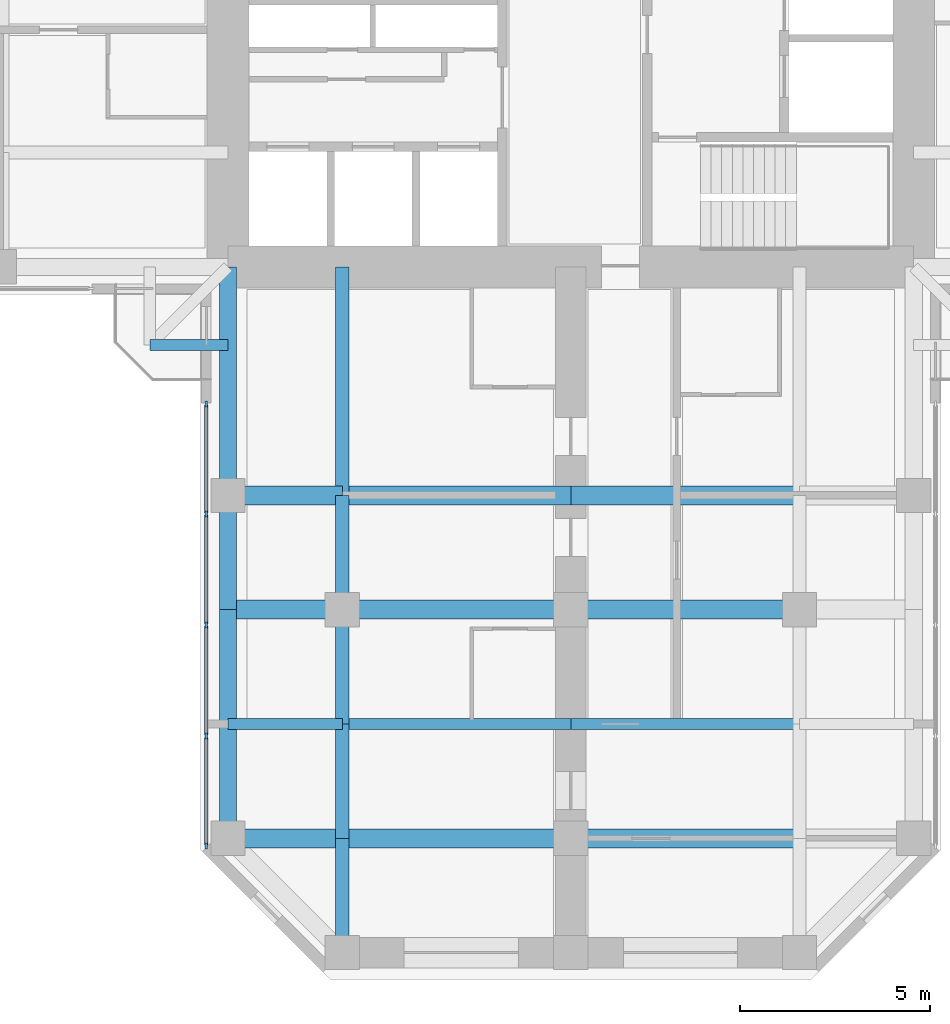
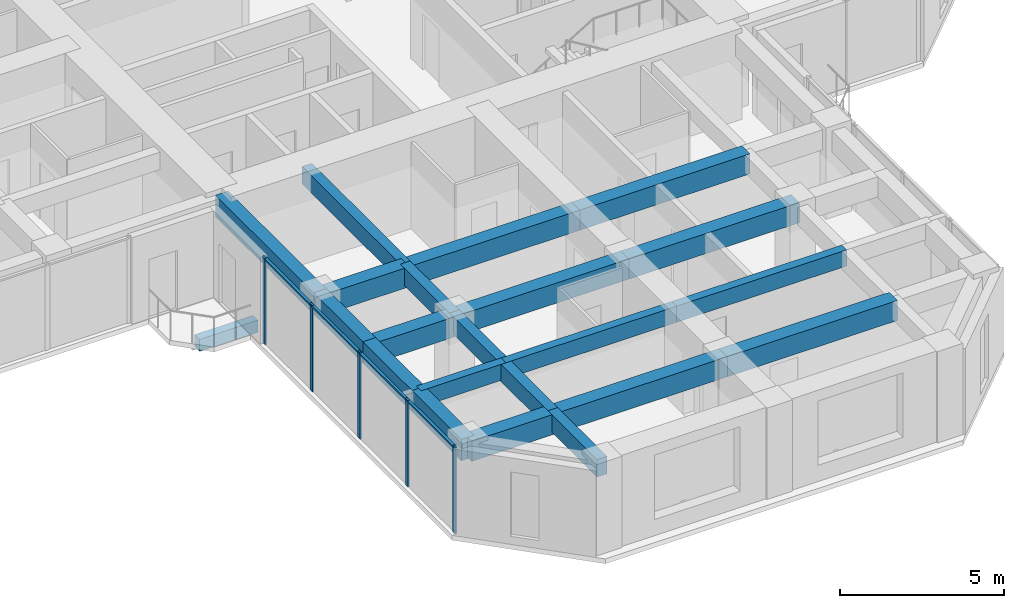
# One storey, part 2 of 13: 22 beams, 9 members, 1 element without a shape of its own.
"""IFC4 building model written with IfcOpenShell, lengths in metres."""

import ifcopenshell
import ifcopenshell.guid

model = None  # the IFC model being written
_history = None  # IfcOwnerHistory: only IFC2X3 demands one
_inside = {}  # id of a spatial element -> (the spatial element, [elements in it])
_under = {}  # id of a project, library or spatial element -> (it, [spatial elements below it])
_declared = {}  # id of a project -> (the project, [libraries it declares])
_typed = {}  # id of a type object -> (the type object, [elements of that type])
_made_of = {}  # id of a material, layer set ... -> (it, [elements and type objects made of it])


def new_model(schema):
    """Start an empty IFC model of exactly this schema.

    Asked for "IFC4X3", IfcOpenShell would pick the latest addendum, in which some entities
    have other attributes; the version numbers below select the first issue.
    IFC2X3 requires an IfcOwnerHistory on every rooted entity: one is made here for all.
    """
    global model, _history
    if schema == "IFC4X3":
        model = ifcopenshell.file(schema_version=(4, 3, 0, 0))
    else:
        model = ifcopenshell.file(schema=schema)
    _inside.clear()
    _under.clear()
    _declared.clear()
    _typed.clear()
    _made_of.clear()
    _history = None
    if model.schema == "IFC2X3":
        org = make("IfcOrganization", Name="unknown")
        user = make(
            "IfcPersonAndOrganization",
            ThePerson=make("IfcPerson", FamilyName="unknown"),
            TheOrganization=org,
        )
        app = make(
            "IfcApplication",
            ApplicationDeveloper=org,
            Version="unknown",
            ApplicationFullName="unknown",
            ApplicationIdentifier="unknown",
        )
        _history = make(
            "IfcOwnerHistory",
            OwningUser=user,
            OwningApplication=app,
            ChangeAction="ADDED",
            CreationDate=0,
        )
    return model


def make(cls, **values):
    """One entity of the class cls with the attributes given. An attribute that is None is left unset."""
    return model.create_entity(
        cls, **{name: value for name, value in values.items() if value is not None}
    )


def rooted(cls, **values):
    """An entity with a GlobalId (a new one), such as an element, a storey or a relation."""
    return make(cls, GlobalId=ifcopenshell.guid.new(), OwnerHistory=_history, **values)


def si_unit(unit_type, name, prefix=None):
    """IfcSIUnit, for example si_unit("LENGTHUNIT", "METRE", prefix="MILLI")."""
    return make("IfcSIUnit", UnitType=unit_type, Prefix=prefix, Name=name)


def assignment(units):
    """IfcUnitAssignment: the units of a project."""
    return None if units is None else make("IfcUnitAssignment", Units=units)


def point(xyz):
    """IfcCartesianPoint."""
    return None if xyz is None else make("IfcCartesianPoint", Coordinates=xyz)


def direction(xyz):
    """IfcDirection."""
    return None if xyz is None else make("IfcDirection", DirectionRatios=xyz)


def frame(location, z_axis=None, x_axis=None):
    """IfcAxis2Placement3D, a coordinate frame: its origin and axes. An axis left out is left unset."""
    return make(
        "IfcAxis2Placement3D",
        Location=point(location),
        Axis=direction(z_axis),
        RefDirection=direction(x_axis),
    )


def frame_2d(location, x_axis=None):
    """IfcAxis2Placement2D, a coordinate frame in the plane: its origin and x axis."""
    return make(
        "IfcAxis2Placement2D", Location=point(location), RefDirection=direction(x_axis)
    )


def origin():
    """The frame at (0, 0, 0) with its axes left unset."""
    return frame((0.0, 0.0, 0.0))


def origin_2d():
    """The frame at (0, 0) in the plane with its x axis left unset."""
    return frame_2d((0.0, 0.0))


def place(relative_to, where):
    """IfcLocalPlacement: puts the frame where relative to a parent placement (None: the world)."""
    return make(
        "IfcLocalPlacement", PlacementRelTo=relative_to, RelativePlacement=where
    )


def context(
    kind, dimensions, precision=None, world=None, true_north=None, identifier=None
):
    """IfcGeometricRepresentationContext, for example the 3D "Model" context."""
    return make(
        "IfcGeometricRepresentationContext",
        ContextIdentifier=identifier,
        ContextType=kind,
        CoordinateSpaceDimension=dimensions,
        Precision=precision,
        WorldCoordinateSystem=world,
        TrueNorth=true_north,
    )


def subcontext(parent, identifier, kind, view, scale=None):
    """IfcGeometricRepresentationSubContext, for example "Body" below "Model"."""
    return make(
        "IfcGeometricRepresentationSubContext",
        ContextIdentifier=identifier,
        ContextType=kind,
        ParentContext=parent,
        TargetScale=scale,
        TargetView=view,
    )


def project(units=None, contexts=None):
    """IfcProject with its units and contexts."""
    return rooted(
        "IfcProject",
        Name="project",
        RepresentationContexts=contexts,
        UnitsInContext=assignment(units),
    )


def spatial(cls, under=None, at=None, **own):
    """A site, building, storey or space (cls), placed at a placement, below another one or the project."""
    s = rooted(cls, ObjectPlacement=at, **own)
    if under is not None:
        _under.setdefault(under.id(), (under, []))[1].append(s)
    return s


def profile(cls, at=None, kind="AREA", **sizes):
    """A parametric profile (cls). Its sizes go by their IFC names, for example OverallWidth=200.0."""
    return make(cls, ProfileType=kind, Position=at, **sizes)


def rectangle(**sizes):
    """IfcRectangleProfileDef."""
    return profile("IfcRectangleProfileDef", **sizes)


def extrude(swept, where, along, depth):
    """IfcExtrudedAreaSolid: the profile swept, set in the frame where, extruded along a direction by depth."""
    return make(
        "IfcExtrudedAreaSolid",
        SweptArea=swept,
        Position=where,
        ExtrudedDirection=direction(along),
        Depth=depth,
    )


def shape(context_of_items, identifier, shape_type, items):
    """IfcShapeRepresentation: the items that make up one representation, for example the "Body"."""
    return make(
        "IfcShapeRepresentation",
        ContextOfItems=context_of_items,
        RepresentationIdentifier=identifier,
        RepresentationType=shape_type,
        Items=items,
    )


def material(Name=None, Category=None):
    """IfcMaterial."""
    return make("IfcMaterial", Name=Name, Category=Category)


def material_profile(
    of_material, cross_section, Name=None, Category=None, Priority=None
):
    """IfcMaterialProfile: a cross section and its material."""
    return make(
        "IfcMaterialProfile",
        Name=Name,
        Material=of_material,
        Profile=cross_section,
        Priority=Priority,
        Category=Category,
    )


def profile_set(profiles, Name=None, composite=None):
    """IfcMaterialProfileSet."""
    return make(
        "IfcMaterialProfileSet",
        Name=Name,
        MaterialProfiles=profiles,
        CompositeProfile=composite,
    )


def made_of(thing, what):
    """Note that an element or type object is made of a material, layer set ...; save() writes the relation."""
    if what is not None:
        _made_of.setdefault(what.id(), (what, []))[1].append(thing)
    return thing


def type_object(cls, material=None, **own):
    """A type object (cls), such as IfcWallType, which elements share."""
    return made_of(rooted(cls, **own), material)


def element(
    cls,
    number,
    at=None,
    inside=None,
    cuts=None,
    type_object=None,
    material=None,
    context=None,
    identifier="Body",
    shape_type=None,
    held_by="IfcProductDefinitionShape",
    body=None,
    shapes=None,
    **own,
):
    """One element of the class cls, such as IfcWall. Its Tag is "e" and its number.

    at: its placement. inside: the storey or other place that contains it. cuts: it is an
    opening in that element (IfcRelVoidsElement). A single representation is given by context,
    identifier, shape_type and body (its items); several are given by shapes. held_by: the class
    of the entity that holds the representations. save() writes the other relations.
    """
    e = rooted(cls, Tag="e%d" % number, ObjectPlacement=at, **own)
    if body is not None:
        shapes = [shape(context, identifier, shape_type, body)]
    if shapes is not None:
        e.Representation = make(held_by, Representations=shapes)
    if inside is not None:
        _inside.setdefault(inside.id(), (inside, []))[1].append(e)
    if cuts is not None:
        rooted(
            "IfcRelVoidsElement", RelatingBuildingElement=cuts, RelatedOpeningElement=e
        )
    if type_object is not None:
        _typed.setdefault(type_object.id(), (type_object, []))[1].append(e)
    return made_of(e, material)


def aggregate(whole, parts):
    """IfcRelAggregates: a whole, such as a stair, and the parts it consists of."""
    return rooted("IfcRelAggregates", RelatingObject=whole, RelatedObjects=parts)


def save(model, path):
    """Write the relations noted so far, then the file.

    IfcRelAggregates (storeys below a building ...), IfcRelContainedInSpatialStructure (elements
    in a storey), IfcRelDefinesByType, IfcRelAssociatesMaterial and IfcRelDeclares: one each for
    every whole, place, type object, material and project.
    """
    for whole, parts in _under.values():
        aggregate(whole, parts)
    for where, things in _inside.values():
        rooted(
            "IfcRelContainedInSpatialStructure",
            RelatedElements=things,
            RelatingStructure=where,
        )
    for kind, things in _typed.values():
        rooted("IfcRelDefinesByType", RelatedObjects=things, RelatingType=kind)
    for what, things in _made_of.values():
        rooted("IfcRelAssociatesMaterial", RelatedObjects=things, RelatingMaterial=what)
    for by, libraries in _declared.values():
        rooted("IfcRelDeclares", RelatingContext=by, RelatedDefinitions=libraries)
    model.write(path)


model = new_model("IFC4")

# Units and contexts
model_context = context("Model", 3, precision=1e-05, world=origin(), true_north=direction((0.0, 1.0)))
body_context = subcontext(model_context, "Body", "Model", "MODEL_VIEW")
ifc_project = project(units=[si_unit("LENGTHUNIT", "METRE"), si_unit("AREAUNIT", "SQUARE_METRE"), si_unit("VOLUMEUNIT", "CUBIC_METRE"), si_unit("PLANEANGLEUNIT", "RADIAN"), si_unit("MASSUNIT", "GRAM", prefix="KILO")], contexts=[model_context])

# Site, building, storey
site_placement = place(None, origin())
site = spatial("IfcSite", under=ifc_project, at=site_placement, CompositionType="ELEMENT")
building_placement = place(site_placement, origin())
building = spatial("IfcBuilding", under=site, at=building_placement, Name="Torre Cruceta", CompositionType="ELEMENT")
storey_placement = place(building_placement, frame((0.0, 0.0, 196.699951171875)))
storey = spatial("IfcBuildingStorey", under=building, at=storey_placement, Name="L49", CompositionType="ELEMENT", Elevation=196.699951171875)

# Beams
ifc_material_1 = material(Name="Concrete G60 (fck 60 MPa)", Category="concrete")
ifc_material_profile_1 = material_profile(ifc_material_1, rectangle(XDim=0.300048828125, YDim=0.449951171875, at=origin_2d()), Name="RC 300X450")
ifc_profile_set_1 = profile_set([ifc_material_profile_1], Name="Concrete G60 (fck 60 MPa)")
beam_type_1 = type_object("IfcBeamType", Name="BALCONY CANTILEVER BEAM RC 300X450", PredefinedType="BEAM", material=ifc_profile_set_1)
beam_1_placement = place(storey_placement, frame((-9.0, -11.050537109375, -0.405029296875), z_axis=(-1.0, 0.0, 0.0), x_axis=(0.0, -1.0, 0.0)))
element("IfcBeam", 1, at=beam_1_placement, inside=storey, type_object=beam_type_1, Name="BB1 balcony edge beam L49 W-Y", PredefinedType="BEAM", context=body_context, shape_type="SweptSolid", body=[
    extrude(rectangle(XDim=0.300048828125, YDim=0.449951171875, at=origin_2d()), origin(), (0.0, 0.0, 1.0), 2.050537109375),
])
ifc_material_2 = material(Name="Concrete G60 (fck 60 MPa)", Category="concrete")
ifc_material_profile_2 = material_profile(ifc_material_2, rectangle(XDim=0.35009765625, YDim=0.64990234375, at=origin_2d()), Name="RC 350X650")
ifc_profile_set_2 = profile_set([ifc_material_profile_2], Name="Concrete G60 (fck 60 MPa)")
beam_type_2 = type_object("IfcBeamType", Name="COLUMN LINE BEAM RC 350X650", PredefinedType="BEAM", material=ifc_profile_set_2)
beam_2_placement = place(storey_placement, frame((-6.0, -9.0, 2.89501953125), z_axis=(0.0, -1.0, 0.0), x_axis=(1.0, 0.0, 0.0)))
element("IfcBeam", 2, at=beam_2_placement, inside=storey, type_object=beam_type_2, Name="LB7 L49 S col- 1", PredefinedType="BEAM", context=body_context, shape_type="SweptSolid", body=[
    extrude(rectangle(XDim=0.35009765625, YDim=0.64990234375, at=origin_2d()), origin(), (0.0, 0.0, 1.0), 6.0),
])
for number, where, z_axis, x_axis, name in (
    (3, (-6.0, -15.0, 2.89501953125), (0.0, -1.0, 0.0), (1.0, 0.0, 0.0), "LB7 L49 S col- 2"),
    (4, (-6.0, -18.0, 2.89501953125), (0.0, -1.0, 0.0), (1.0, 0.0, 0.0), "LB7 L49 S col- 3"),
    (5, (-6.0, -21.0, 2.89501953125), (0.0, -1.0, 0.0), (1.0, 0.0, 0.0), "LB7 L49 S col- 4"),
    (6, (-6.0, -24.0, 2.89501953125), (0.0, -1.0, 0.0), (1.0, 0.0, 0.0), "LB7 L49 S col- 5"),
):
    element("IfcBeam", number, at=place(storey_placement, frame(where, z_axis=z_axis, x_axis=x_axis)), inside=storey, type_object=beam_type_2, Name=name, PredefinedType="BEAM", context=body_context, shape_type="SweptSolid", body=[
        extrude(rectangle(XDim=0.35009765625, YDim=0.64990234375, at=origin_2d()), origin(), (0.0, 0.0, 1.0), 3.0),
    ])
ifc_material_3 = material(Name="Concrete G60 (fck 60 MPa)", Category="concrete")
ifc_material_profile_3 = material_profile(ifc_material_3, rectangle(XDim=0.5, YDim=0.75, at=origin_2d()), Name="RC 500X750")
ifc_profile_set_3 = profile_set([ifc_material_profile_3], Name="Concrete G60 (fck 60 MPa)")
beam_type_3 = type_object("IfcBeamType", Name="CROSS BEAM RC 500X750", PredefinedType="BEAM", material=ifc_profile_set_3)
beam_3_placement = place(storey_placement, frame((-9.0, -15.0, 2.844970703125), z_axis=(1.0, 0.0, 0.0), x_axis=(0.0, 1.0, 0.0)))
element("IfcBeam", 7, at=beam_3_placement, inside=storey, type_object=beam_type_3, Name="GB6 L49 S cross15 1", PredefinedType="BEAM", context=body_context, shape_type="SweptSolid", body=[
    extrude(rectangle(XDim=0.5, YDim=0.75, at=origin_2d()), origin(), (0.0, 0.0, 1.0), 3.0),
])
for number, where, z_axis, x_axis, name in (
    (8, (-6.0, -15.0, 2.844970703125), (1.0, 0.0, 0.0), (0.0, 1.0, 0.0), "GB6 L49 S cross15 2"),
    (9, (0.0, -15.0, 2.844970703125), (1.0, 0.0, 0.0), (0.0, 1.0, 0.0), "GB6 L49 S cross15 3"),
):
    element("IfcBeam", number, at=place(storey_placement, frame(where, z_axis=z_axis, x_axis=x_axis)), inside=storey, type_object=beam_type_3, Name=name, PredefinedType="BEAM", context=body_context, shape_type="SweptSolid", body=[
        extrude(rectangle(XDim=0.5, YDim=0.75, at=origin_2d()), origin(), (0.0, 0.0, 1.0), 6.0),
    ])
beam_4_placement = place(storey_placement, frame((-9.0, -18.0, 2.844970703125), z_axis=(1.0, 0.0, 0.0), x_axis=(0.0, 1.0, 0.0)))
element("IfcBeam", 10, at=beam_4_placement, inside=storey, type_object=beam_type_3, Name="GB6 L49 S cross18 1", PredefinedType="BEAM", context=body_context, shape_type="SweptSolid", body=[
    extrude(rectangle(XDim=0.5, YDim=0.75, at=origin_2d()), origin(), (0.0, 0.0, 1.0), 3.0),
])
for number, where, z_axis, x_axis, name in (
    (11, (-6.0, -18.0, 2.844970703125), (1.0, 0.0, 0.0), (0.0, 1.0, 0.0), "GB6 L49 S cross18 2"),
    (12, (0.0, -18.0, 2.844970703125), (1.0, 0.0, 0.0), (0.0, 1.0, 0.0), "GB6 L49 S cross18 3"),
):
    element("IfcBeam", number, at=place(storey_placement, frame(where, z_axis=z_axis, x_axis=x_axis)), inside=storey, type_object=beam_type_3, Name=name, PredefinedType="BEAM", context=body_context, shape_type="SweptSolid", body=[
        extrude(rectangle(XDim=0.5, YDim=0.75, at=origin_2d()), origin(), (0.0, 0.0, 1.0), 6.0),
    ])
beam_5_placement = place(storey_placement, frame((-9.0, -24.0, 2.844970703125), z_axis=(1.0, 0.0, 0.0), x_axis=(0.0, 1.0, 0.0)))
element("IfcBeam", 13, at=beam_5_placement, inside=storey, type_object=beam_type_3, Name="GB6 L49 S cross24 1", PredefinedType="BEAM", context=body_context, shape_type="SweptSolid", body=[
    extrude(rectangle(XDim=0.5, YDim=0.75, at=origin_2d()), origin(), (0.0, 0.0, 1.0), 3.0),
])
for number, where, z_axis, x_axis, name in (
    (14, (-6.0, -24.0, 2.844970703125), (1.0, 0.0, 0.0), (0.0, 1.0, 0.0), "GB6 L49 S cross24 2"),
    (15, (0.0, -24.0, 2.844970703125), (1.0, 0.0, 0.0), (0.0, 1.0, 0.0), "GB6 L49 S cross24 3"),
):
    element("IfcBeam", number, at=place(storey_placement, frame(where, z_axis=z_axis, x_axis=x_axis)), inside=storey, type_object=beam_type_3, Name=name, PredefinedType="BEAM", context=body_context, shape_type="SweptSolid", body=[
        extrude(rectangle(XDim=0.5, YDim=0.75, at=origin_2d()), origin(), (0.0, 0.0, 1.0), 6.0),
    ])

# Curtain wall, members
ifc_material_4 = material(Name="Aluminium unitised curtain wall", Category="aluminium")
curtain_wall_type = type_object("IfcCurtainWallType", Name="CURTAIN WALL CW-C CO-LIVING", PredefinedType="USERDEFINED", material=ifc_material_4)
curtain_wall_placement = place(storey_placement, origin())
curtain_wall = element("IfcCurtainWall", 16, at=curtain_wall_placement, inside=storey, type_object=curtain_wall_type, Name="CW-C L49 S side 15", ObjectType="UNITISED", PredefinedType="USERDEFINED")
ifc_material_5 = material(Name="Aluminium mullion", Category="aluminium")
ifc_material_profile_4 = material_profile(ifc_material_5, rectangle(XDim=0.06005859375, YDim=0.159912109375, at=origin_2d()), Name="AL 60X160")
ifc_profile_set_4 = profile_set([ifc_material_profile_4], Name="Aluminium mullion")
member_type_1 = type_object("IfcMemberType", Name="CW-C MULLION 60X160", PredefinedType="MULLION", material=ifc_profile_set_4)
member_1_placement = place(storey_placement, frame((-9.570068359375, -12.60009765625, 0.0), z_axis=(0.0, 0.0, 1.0), x_axis=(1.0, 0.0, 0.0)))
member_1 = element("IfcMember", 17, at=member_1_placement, type_object=member_type_1, Name="CW-C mullion 1", PredefinedType="MULLION", context=body_context, shape_type="SweptSolid", body=[
    extrude(rectangle(XDim=0.06005859375, YDim=0.159912109375, at=origin_2d()), origin(), (0.0, 0.0, 1.0), 3.219970703125),
])
member_2_placement = place(storey_placement, frame((-9.570068359375, -15.486572265625, 0.0), z_axis=(0.0, 0.0, 1.0), x_axis=(1.0, 0.0, 0.0)))
member_2 = element("IfcMember", 18, at=member_2_placement, type_object=member_type_1, Name="CW-C mullion 2", PredefinedType="MULLION", context=body_context, shape_type="SweptSolid", body=[
    extrude(rectangle(XDim=0.06005859375, YDim=0.159912109375, at=origin_2d()), origin(), (0.0, 0.0, 1.0), 3.219970703125),
])
member_3_placement = place(storey_placement, frame((-9.570068359375, -18.403076171875, 0.0), z_axis=(0.0, 0.0, 1.0), x_axis=(1.0, 0.0, 0.0)))
member_3 = element("IfcMember", 19, at=member_3_placement, type_object=member_type_1, Name="CW-C mullion 3", PredefinedType="MULLION", context=body_context, shape_type="SweptSolid", body=[
    extrude(rectangle(XDim=0.06005859375, YDim=0.159912109375, at=origin_2d()), origin(), (0.0, 0.0, 1.0), 3.219970703125),
])
member_4_placement = place(storey_placement, frame((-9.570068359375, -21.319580078125, 0.0), z_axis=(0.0, 0.0, 1.0), x_axis=(1.0, 0.0, 0.0)))
member_4 = element("IfcMember", 20, at=member_4_placement, type_object=member_type_1, Name="CW-C mullion 4", PredefinedType="MULLION", context=body_context, shape_type="SweptSolid", body=[
    extrude(rectangle(XDim=0.06005859375, YDim=0.159912109375, at=origin_2d()), origin(), (0.0, 0.0, 1.0), 3.219970703125),
])
member_5_placement = place(storey_placement, frame((-9.570068359375, -24.2060546875, 0.0), z_axis=(0.0, 0.0, 1.0), x_axis=(1.0, 0.0, 0.0)))
member_5 = element("IfcMember", 21, at=member_5_placement, type_object=member_type_1, Name="CW-C mullion 5", PredefinedType="MULLION", context=body_context, shape_type="SweptSolid", body=[
    extrude(rectangle(XDim=0.06005859375, YDim=0.159912109375, at=origin_2d()), origin(), (0.0, 0.0, 1.0), 3.219970703125),
])
ifc_material_6 = material(Name="Aluminium transom", Category="aluminium")
ifc_material_profile_5 = material_profile(ifc_material_6, rectangle(XDim=0.10009765625, YDim=0.06005859375, at=origin_2d()), Name="AL 100X60")
ifc_profile_set_5 = profile_set([ifc_material_profile_5], Name="Aluminium transom")
member_type_2 = type_object("IfcMemberType", Name="CW-C TRANSOM 60X100", PredefinedType="USERDEFINED", material=ifc_profile_set_5)
member_6_placement = place(storey_placement, frame((-9.570068359375, -12.6298828125, 3.18994140625), z_axis=(0.0, -1.0, 0.0), x_axis=(1.0, 0.0, 0.0)))
member_6 = element("IfcMember", 22, at=member_6_placement, type_object=member_type_2, Name="CW-C transom 1", ObjectType="TRANSOM", PredefinedType="USERDEFINED", context=body_context, shape_type="SweptSolid", body=[
    extrude(rectangle(XDim=0.10009765625, YDim=0.06005859375, at=origin_2d()), origin(), (0.0, 0.0, 1.0), 2.82666015625),
])
member_7_placement = place(storey_placement, frame((-9.570068359375, -15.5166015625, 3.18994140625), z_axis=(0.0, -1.0, 0.0), x_axis=(1.0, 0.0, 0.0)))
member_7 = element("IfcMember", 23, at=member_7_placement, type_object=member_type_2, Name="CW-C transom 2", ObjectType="TRANSOM", PredefinedType="USERDEFINED", context=body_context, shape_type="SweptSolid", body=[
    extrude(rectangle(XDim=0.10009765625, YDim=0.06005859375, at=origin_2d()), origin(), (0.0, 0.0, 1.0), 2.8564453125),
])
member_8_placement = place(storey_placement, frame((-9.570068359375, -18.43310546875, 3.18994140625), z_axis=(0.0, -1.0, 0.0), x_axis=(1.0, 0.0, 0.0)))
member_8 = element("IfcMember", 24, at=member_8_placement, type_object=member_type_2, Name="CW-C transom 3", ObjectType="TRANSOM", PredefinedType="USERDEFINED", context=body_context, shape_type="SweptSolid", body=[
    extrude(rectangle(XDim=0.10009765625, YDim=0.06005859375, at=origin_2d()), origin(), (0.0, 0.0, 1.0), 2.8564453125),
])
member_9_placement = place(storey_placement, frame((-9.570068359375, -21.349609375, 3.18994140625), z_axis=(0.0, -1.0, 0.0), x_axis=(1.0, 0.0, 0.0)))
member_9 = element("IfcMember", 25, at=member_9_placement, type_object=member_type_2, Name="CW-C transom 4", ObjectType="TRANSOM", PredefinedType="USERDEFINED", context=body_context, shape_type="SweptSolid", body=[
    extrude(rectangle(XDim=0.10009765625, YDim=0.06005859375, at=origin_2d()), origin(), (0.0, 0.0, 1.0), 2.826416015625),
])
aggregate(curtain_wall, [member_1, member_2, member_3, member_4, member_5, member_6, member_7, member_8, member_9])

# Beams
ifc_material_7 = material(Name="Concrete G60 (fck 60 MPa)", Category="concrete")
ifc_material_profile_6 = material_profile(ifc_material_7, rectangle(XDim=0.300048828125, YDim=0.60009765625, at=origin_2d()), Name="RC 300X600")
ifc_profile_set_6 = profile_set([ifc_material_profile_6], Name="Concrete G60 (fck 60 MPa)")
beam_type_4 = type_object("IfcBeamType", Name="SECONDARY BEAM RC 300X600", PredefinedType="JOIST", material=ifc_profile_set_6)
beam_6_placement = place(storey_placement, frame((-9.0, -21.0, 2.920166015625), z_axis=(1.0, 0.0, 0.0), x_axis=(0.0, 1.0, 0.0)))
element("IfcBeam", 26, at=beam_6_placement, inside=storey, type_object=beam_type_4, Name="JB6 L49 S sec21 1", PredefinedType="JOIST", context=body_context, shape_type="SweptSolid", body=[
    extrude(rectangle(XDim=0.300048828125, YDim=0.60009765625, at=origin_2d()), origin(), (0.0, 0.0, 1.0), 3.0),
])
for number, where, z_axis, x_axis, name in (
    (27, (-6.0, -21.0, 2.920166015625), (1.0, 0.0, 0.0), (0.0, 1.0, 0.0), "JB6 L49 S sec21 2"),
    (28, (0.0, -21.0, 2.920166015625), (1.0, 0.0, 0.0), (0.0, 1.0, 0.0), "JB6 L49 S sec21 3"),
):
    element("IfcBeam", number, at=place(storey_placement, frame(where, z_axis=z_axis, x_axis=x_axis)), inside=storey, type_object=beam_type_4, Name=name, PredefinedType="JOIST", context=body_context, shape_type="SweptSolid", body=[
        extrude(rectangle(XDim=0.300048828125, YDim=0.60009765625, at=origin_2d()), origin(), (0.0, 0.0, 1.0), 6.0),
    ])
ifc_material_8 = material(Name="Concrete G60 (fck 60 MPa)", Category="concrete")
ifc_material_profile_7 = material_profile(ifc_material_8, rectangle(XDim=0.449951171875, YDim=0.800048828125, at=origin_2d()), Name="RC 450X800")
ifc_profile_set_7 = profile_set([ifc_material_profile_7], Name="Concrete G60 (fck 60 MPa)")
beam_type_5 = type_object("IfcBeamType", Name="SPANDREL BEAM RC 450X800", PredefinedType="SPANDREL", material=ifc_profile_set_7)
beam_7_placement = place(storey_placement, frame((-9.0, -9.0, 2.820068359375), z_axis=(0.0, -1.0, 0.0), x_axis=(1.0, 0.0, 0.0)))
element("IfcBeam", 29, at=beam_7_placement, inside=storey, type_object=beam_type_5, Name="SB6 L49 S side- 1", PredefinedType="SPANDREL", context=body_context, shape_type="SweptSolid", body=[
    extrude(rectangle(XDim=0.449951171875, YDim=0.800048828125, at=origin_2d()), origin(), (0.0, 0.0, 1.0), 6.0),
])
for number, where, z_axis, x_axis, name in (
    (30, (-9.0, -15.0, 2.820068359375), (0.0, -1.0, 0.0), (1.0, 0.0, 0.0), "SB6 L49 S side- 2"),
    (31, (-9.0, -18.0, 2.820068359375), (0.0, -1.0, 0.0), (1.0, 0.0, 0.0), "SB6 L49 S side- 3"),
    (32, (-9.0, -21.0, 2.820068359375), (0.0, -1.0, 0.0), (1.0, 0.0, 0.0), "SB6 L49 S side- 4"),
):
    element("IfcBeam", number, at=place(storey_placement, frame(where, z_axis=z_axis, x_axis=x_axis)), inside=storey, type_object=beam_type_5, Name=name, PredefinedType="SPANDREL", context=body_context, shape_type="SweptSolid", body=[
        extrude(rectangle(XDim=0.449951171875, YDim=0.800048828125, at=origin_2d()), origin(), (0.0, 0.0, 1.0), 3.0),
    ])

save(model, "model.ifc")
